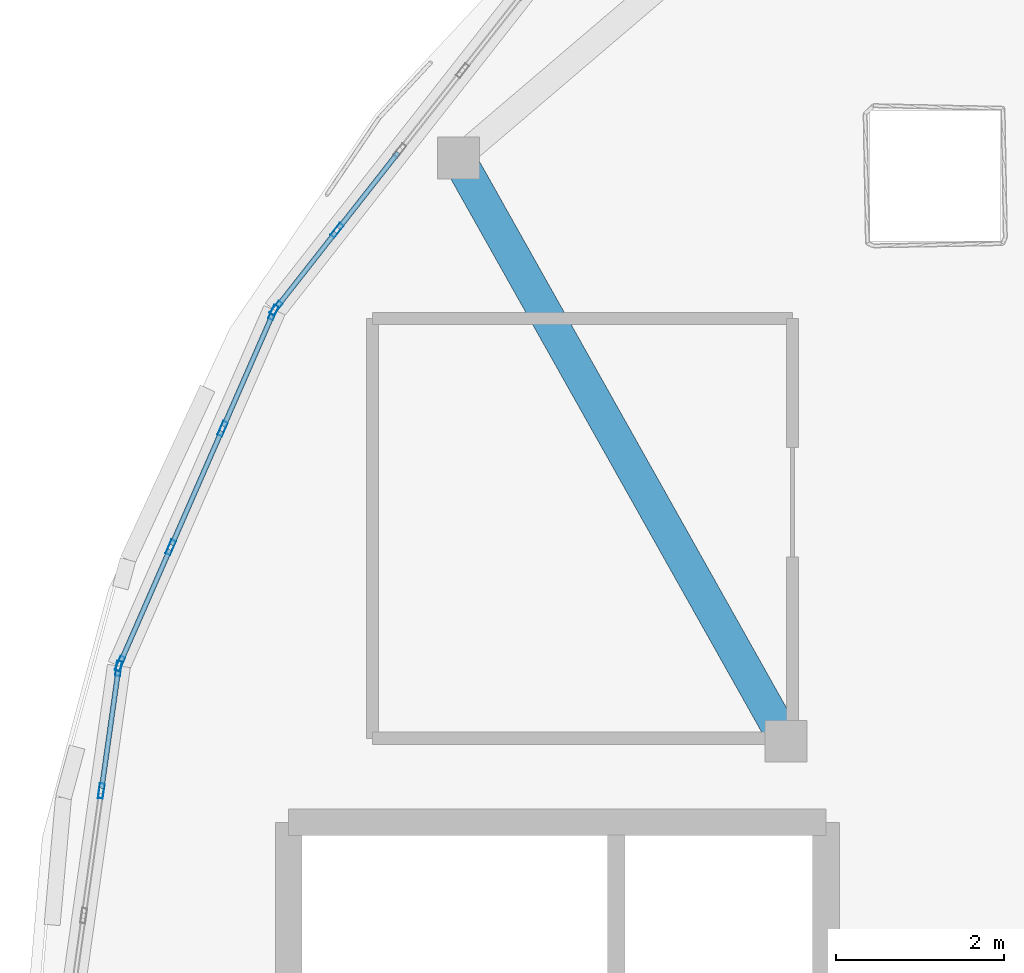
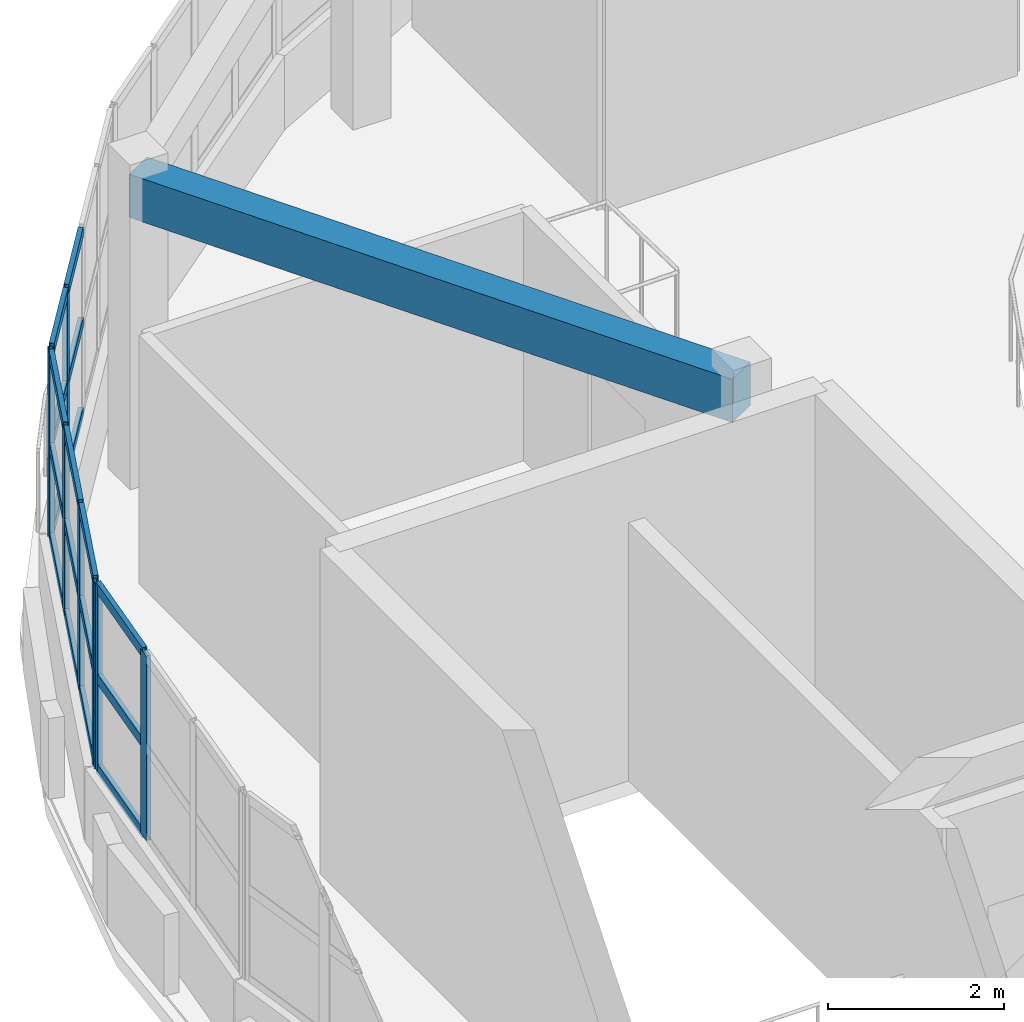
# One storey, part 10 of 38: 26 members, 1 beam, 3 elements without a shape of their own.
"""IFC4 building model written with IfcOpenShell, lengths in metres."""

import ifcopenshell
import ifcopenshell.guid

model = None  # the IFC model being written
_history = None  # IfcOwnerHistory: only IFC2X3 demands one
_inside = {}  # id of a spatial element -> (the spatial element, [elements in it])
_under = {}  # id of a project, library or spatial element -> (it, [spatial elements below it])
_declared = {}  # id of a project -> (the project, [libraries it declares])
_typed = {}  # id of a type object -> (the type object, [elements of that type])
_made_of = {}  # id of a material, layer set ... -> (it, [elements and type objects made of it])


def new_model(schema):
    """Start an empty IFC model of exactly this schema.

    Asked for "IFC4X3", IfcOpenShell would pick the latest addendum, in which some entities
    have other attributes; the version numbers below select the first issue.
    IFC2X3 requires an IfcOwnerHistory on every rooted entity: one is made here for all.
    """
    global model, _history
    if schema == "IFC4X3":
        model = ifcopenshell.file(schema_version=(4, 3, 0, 0))
    else:
        model = ifcopenshell.file(schema=schema)
    _inside.clear()
    _under.clear()
    _declared.clear()
    _typed.clear()
    _made_of.clear()
    _history = None
    if model.schema == "IFC2X3":
        org = make("IfcOrganization", Name="unknown")
        user = make(
            "IfcPersonAndOrganization",
            ThePerson=make("IfcPerson", FamilyName="unknown"),
            TheOrganization=org,
        )
        app = make(
            "IfcApplication",
            ApplicationDeveloper=org,
            Version="unknown",
            ApplicationFullName="unknown",
            ApplicationIdentifier="unknown",
        )
        _history = make(
            "IfcOwnerHistory",
            OwningUser=user,
            OwningApplication=app,
            ChangeAction="ADDED",
            CreationDate=0,
        )
    return model


def make(cls, **values):
    """One entity of the class cls with the attributes given. An attribute that is None is left unset."""
    return model.create_entity(
        cls, **{name: value for name, value in values.items() if value is not None}
    )


def rooted(cls, **values):
    """An entity with a GlobalId (a new one), such as an element, a storey or a relation."""
    return make(cls, GlobalId=ifcopenshell.guid.new(), OwnerHistory=_history, **values)


def si_unit(unit_type, name, prefix=None):
    """IfcSIUnit, for example si_unit("LENGTHUNIT", "METRE", prefix="MILLI")."""
    return make("IfcSIUnit", UnitType=unit_type, Prefix=prefix, Name=name)


def assignment(units):
    """IfcUnitAssignment: the units of a project."""
    return None if units is None else make("IfcUnitAssignment", Units=units)


def point(xyz):
    """IfcCartesianPoint."""
    return None if xyz is None else make("IfcCartesianPoint", Coordinates=xyz)


def direction(xyz):
    """IfcDirection."""
    return None if xyz is None else make("IfcDirection", DirectionRatios=xyz)


def frame(location, z_axis=None, x_axis=None):
    """IfcAxis2Placement3D, a coordinate frame: its origin and axes. An axis left out is left unset."""
    return make(
        "IfcAxis2Placement3D",
        Location=point(location),
        Axis=direction(z_axis),
        RefDirection=direction(x_axis),
    )


def frame_2d(location, x_axis=None):
    """IfcAxis2Placement2D, a coordinate frame in the plane: its origin and x axis."""
    return make(
        "IfcAxis2Placement2D", Location=point(location), RefDirection=direction(x_axis)
    )


def origin():
    """The frame at (0, 0, 0) with its axes left unset."""
    return frame((0.0, 0.0, 0.0))


def origin_2d():
    """The frame at (0, 0) in the plane with its x axis left unset."""
    return frame_2d((0.0, 0.0))


def place(relative_to, where):
    """IfcLocalPlacement: puts the frame where relative to a parent placement (None: the world)."""
    return make(
        "IfcLocalPlacement", PlacementRelTo=relative_to, RelativePlacement=where
    )


def context(
    kind, dimensions, precision=None, world=None, true_north=None, identifier=None
):
    """IfcGeometricRepresentationContext, for example the 3D "Model" context."""
    return make(
        "IfcGeometricRepresentationContext",
        ContextIdentifier=identifier,
        ContextType=kind,
        CoordinateSpaceDimension=dimensions,
        Precision=precision,
        WorldCoordinateSystem=world,
        TrueNorth=true_north,
    )


def subcontext(parent, identifier, kind, view, scale=None):
    """IfcGeometricRepresentationSubContext, for example "Body" below "Model"."""
    return make(
        "IfcGeometricRepresentationSubContext",
        ContextIdentifier=identifier,
        ContextType=kind,
        ParentContext=parent,
        TargetScale=scale,
        TargetView=view,
    )


def project(units=None, contexts=None):
    """IfcProject with its units and contexts."""
    return rooted(
        "IfcProject",
        Name="project",
        RepresentationContexts=contexts,
        UnitsInContext=assignment(units),
    )


def spatial(cls, under=None, at=None, **own):
    """A site, building, storey or space (cls), placed at a placement, below another one or the project."""
    s = rooted(cls, ObjectPlacement=at, **own)
    if under is not None:
        _under.setdefault(under.id(), (under, []))[1].append(s)
    return s


def profile(cls, at=None, kind="AREA", **sizes):
    """A parametric profile (cls). Its sizes go by their IFC names, for example OverallWidth=200.0."""
    return make(cls, ProfileType=kind, Position=at, **sizes)


def rectangle(**sizes):
    """IfcRectangleProfileDef."""
    return profile("IfcRectangleProfileDef", **sizes)


def hollow_rectangle(**sizes):
    """IfcRectangleHollowProfileDef."""
    return profile("IfcRectangleHollowProfileDef", **sizes)


def extrude(swept, where, along, depth):
    """IfcExtrudedAreaSolid: the profile swept, set in the frame where, extruded along a direction by depth."""
    return make(
        "IfcExtrudedAreaSolid",
        SweptArea=swept,
        Position=where,
        ExtrudedDirection=direction(along),
        Depth=depth,
    )


def shape(context_of_items, identifier, shape_type, items):
    """IfcShapeRepresentation: the items that make up one representation, for example the "Body"."""
    return make(
        "IfcShapeRepresentation",
        ContextOfItems=context_of_items,
        RepresentationIdentifier=identifier,
        RepresentationType=shape_type,
        Items=items,
    )


def material(Name=None, Category=None):
    """IfcMaterial."""
    return make("IfcMaterial", Name=Name, Category=Category)


def layer(
    of_material, thickness, ventilated=None, Name=None, Category=None, Priority=None
):
    """IfcMaterialLayer: one layer of a wall or slab, of a material (None: an air gap)."""
    return make(
        "IfcMaterialLayer",
        Material=of_material,
        LayerThickness=thickness,
        IsVentilated=ventilated,
        Name=Name,
        Category=Category,
        Priority=Priority,
    )


def layer_set(layers, Name=None):
    """IfcMaterialLayerSet."""
    return make("IfcMaterialLayerSet", MaterialLayers=layers, LayerSetName=Name)


def material_profile(
    of_material, cross_section, Name=None, Category=None, Priority=None
):
    """IfcMaterialProfile: a cross section and its material."""
    return make(
        "IfcMaterialProfile",
        Name=Name,
        Material=of_material,
        Profile=cross_section,
        Priority=Priority,
        Category=Category,
    )


def profile_set(profiles, Name=None, composite=None):
    """IfcMaterialProfileSet."""
    return make(
        "IfcMaterialProfileSet",
        Name=Name,
        MaterialProfiles=profiles,
        CompositeProfile=composite,
    )


def made_of(thing, what):
    """Note that an element or type object is made of a material, layer set ...; save() writes the relation."""
    if what is not None:
        _made_of.setdefault(what.id(), (what, []))[1].append(thing)
    return thing


def type_object(cls, material=None, **own):
    """A type object (cls), such as IfcWallType, which elements share."""
    return made_of(rooted(cls, **own), material)


def element(
    cls,
    number,
    at=None,
    inside=None,
    cuts=None,
    type_object=None,
    material=None,
    context=None,
    identifier="Body",
    shape_type=None,
    held_by="IfcProductDefinitionShape",
    body=None,
    shapes=None,
    **own,
):
    """One element of the class cls, such as IfcWall. Its Tag is "e" and its number.

    at: its placement. inside: the storey or other place that contains it. cuts: it is an
    opening in that element (IfcRelVoidsElement). A single representation is given by context,
    identifier, shape_type and body (its items); several are given by shapes. held_by: the class
    of the entity that holds the representations. save() writes the other relations.
    """
    e = rooted(cls, Tag="e%d" % number, ObjectPlacement=at, **own)
    if body is not None:
        shapes = [shape(context, identifier, shape_type, body)]
    if shapes is not None:
        e.Representation = make(held_by, Representations=shapes)
    if inside is not None:
        _inside.setdefault(inside.id(), (inside, []))[1].append(e)
    if cuts is not None:
        rooted(
            "IfcRelVoidsElement", RelatingBuildingElement=cuts, RelatedOpeningElement=e
        )
    if type_object is not None:
        _typed.setdefault(type_object.id(), (type_object, []))[1].append(e)
    return made_of(e, material)


def aggregate(whole, parts):
    """IfcRelAggregates: a whole, such as a stair, and the parts it consists of."""
    return rooted("IfcRelAggregates", RelatingObject=whole, RelatedObjects=parts)


def save(model, path):
    """Write the relations noted so far, then the file.

    IfcRelAggregates (storeys below a building ...), IfcRelContainedInSpatialStructure (elements
    in a storey), IfcRelDefinesByType, IfcRelAssociatesMaterial and IfcRelDeclares: one each for
    every whole, place, type object, material and project.
    """
    for whole, parts in _under.values():
        aggregate(whole, parts)
    for where, things in _inside.values():
        rooted(
            "IfcRelContainedInSpatialStructure",
            RelatedElements=things,
            RelatingStructure=where,
        )
    for kind, things in _typed.values():
        rooted("IfcRelDefinesByType", RelatedObjects=things, RelatingType=kind)
    for what, things in _made_of.values():
        rooted("IfcRelAssociatesMaterial", RelatedObjects=things, RelatingMaterial=what)
    for by, libraries in _declared.values():
        rooted("IfcRelDeclares", RelatingContext=by, RelatedDefinitions=libraries)
    model.write(path)


model = new_model("IFC4")

# Units and contexts
model_context = context("Model", 3, precision=1e-05, world=origin(), true_north=direction((0.0, 1.0)))
body_context = subcontext(model_context, "Body", "Model", "MODEL_VIEW")
ifc_project = project(units=[si_unit("LENGTHUNIT", "METRE"), si_unit("AREAUNIT", "SQUARE_METRE"), si_unit("VOLUMEUNIT", "CUBIC_METRE"), si_unit("PLANEANGLEUNIT", "RADIAN"), si_unit("MASSUNIT", "GRAM", prefix="KILO")], contexts=[model_context])

# Site, building, storey
site_placement = place(None, origin())
site = spatial("IfcSite", under=ifc_project, at=site_placement, CompositionType="ELEMENT")
building_placement = place(site_placement, origin())
building = spatial("IfcBuilding", under=site, at=building_placement, Name="Pelvatis Terrace Science Centre", CompositionType="ELEMENT")
storey_placement = place(building_placement, frame((0.0, 0.0, 24.300048828125)))
storey = spatial("IfcBuildingStorey", under=building, at=storey_placement, Name="L05", CompositionType="ELEMENT", Elevation=24.300048828125)

# Beam
ifc_material_1 = material(Name="Concrete C35/45", Category="concrete")
ifc_material_profile_1 = material_profile(ifc_material_1, rectangle(XDim=0.39990234375, YDim=0.60009765625, at=origin_2d()), Name="RC-BM 400x600")
ifc_profile_set_1 = profile_set([ifc_material_profile_1], Name="Concrete C35/45")
beam_type = type_object("IfcBeamType", Name="BM-RC-400x600", PredefinedType="BEAM", material=ifc_profile_set_1)
beam_placement = place(storey_placement, frame((88.8203125, 95.71142578125, 3.9599609375), z_axis=(0.489826177205, -0.871820116839, 0.0), x_axis=(0.871820116839, 0.489826177205, 0.0)))
element("IfcBeam", 1, at=beam_placement, inside=storey, type_object=beam_type, Name="Beam BM-L05-3130", PredefinedType="BEAM", context=body_context, shape_type="SweptSolid", body=[
    extrude(rectangle(XDim=0.39990234375, YDim=0.60009765625, at=origin_2d()), origin(), (0.0, 0.0, 1.0), 7.96728515625),
])

# Curtain wall, members
ifc_material_2 = material(Name="Bronze-anodised aluminium and laminated glass", Category="aluminium")
ifc_layer = layer(ifc_material_2, 0.179931640625)
ifc_layer_set = layer_set([ifc_layer], Name="Bronze-anodised aluminium and laminated glass")
curtain_wall_type = type_object("IfcCurtainWallType", Name="CW-RIBBON-A", PredefinedType="NOTDEFINED", material=ifc_layer_set)
curtain_wall_1_placement = place(storey_placement, origin())
curtain_wall_1 = element("IfcCurtainWall", 2, at=curtain_wall_1_placement, inside=storey, type_object=curtain_wall_type, Name="Ribbon curtain wall CW-248 (L05)", PredefinedType="NOTDEFINED")
ifc_material_3 = material(Name="Bronze-anodised aluminium 6063-T6", Category="aluminium")
ifc_material_profile_2 = material_profile(ifc_material_3, hollow_rectangle(XDim=0.06005859375, YDim=0.179931640625, WallThickness=0.00390625, at=origin_2d()), Name="ALU-MUL 60x180")
ifc_profile_set_2 = profile_set([ifc_material_profile_2], Name="Bronze-anodised aluminium 6063-T6")
member_type_1 = type_object("IfcMemberType", Name="CWM-60x180", PredefinedType="MULLION", material=ifc_profile_set_2)
member_1_placement = place(storey_placement, frame((87.376708984375, 94.849853515625, 1.02001953125), z_axis=(0.0, 0.0, 1.0), x_axis=(0.786576740286, -0.617492535697, 0.0)))
member_1 = element("IfcMember", 3, at=member_1_placement, type_object=member_type_1, Name="CW-248 mullion 4", PredefinedType="MULLION", context=body_context, shape_type="SweptSolid", body=[
    extrude(hollow_rectangle(XDim=0.06005859375, YDim=0.179931640625, WallThickness=0.00390625, at=origin_2d()), origin(), (0.0, 0.0, 1.0), 2.559814453125),
])
member_2_placement = place(storey_placement, frame((86.649169921875, 93.923095703125, 1.02001953125), z_axis=(0.0, 0.0, 1.0), x_axis=(0.786576740286, -0.617492535697, 0.0)))
member_2 = element("IfcMember", 4, at=member_2_placement, type_object=member_type_1, Name="CW-248 mullion 5", PredefinedType="MULLION", context=body_context, shape_type="SweptSolid", body=[
    extrude(hollow_rectangle(XDim=0.06005859375, YDim=0.179931640625, WallThickness=0.00390625, at=origin_2d()), origin(), (0.0, 0.0, 1.0), 2.559814453125),
])

curtain_wall_2_placement = place(storey_placement, origin())
curtain_wall_2 = element("IfcCurtainWall", 5, at=curtain_wall_2_placement, inside=storey, type_object=curtain_wall_type, Name="Ribbon curtain wall CW-249 (L05)", PredefinedType="NOTDEFINED")
member_3_placement = place(storey_placement, frame((86.61865234375, 93.871826171875, 1.02001953125), z_axis=(0.0, 0.0, 1.0), x_axis=(0.916274899341, -0.400550007911, 0.0)))
member_3 = element("IfcMember", 6, at=member_3_placement, type_object=member_type_1, Name="CW-249 mullion 1", PredefinedType="MULLION", context=body_context, shape_type="SweptSolid", body=[
    extrude(hollow_rectangle(XDim=0.06005859375, YDim=0.179931640625, WallThickness=0.00390625, at=origin_2d()), origin(), (0.0, 0.0, 1.0), 2.559814453125),
])
member_4_placement = place(storey_placement, frame((86.01318359375, 92.48681640625, 1.02001953125), z_axis=(0.0, 0.0, 1.0), x_axis=(0.916274899341, -0.400550007911, 0.0)))
member_4 = element("IfcMember", 7, at=member_4_placement, type_object=member_type_1, Name="CW-249 mullion 2", PredefinedType="MULLION", context=body_context, shape_type="SweptSolid", body=[
    extrude(hollow_rectangle(XDim=0.06005859375, YDim=0.179931640625, WallThickness=0.00390625, at=origin_2d()), origin(), (0.0, 0.0, 1.0), 2.559814453125),
])
member_5_placement = place(storey_placement, frame((85.395751953125, 91.07421875, 1.02001953125), z_axis=(0.0, 0.0, 1.0), x_axis=(0.916274899341, -0.400550007911, 0.0)))
member_5 = element("IfcMember", 8, at=member_5_placement, type_object=member_type_1, Name="CW-249 mullion 3", PredefinedType="MULLION", context=body_context, shape_type="SweptSolid", body=[
    extrude(hollow_rectangle(XDim=0.06005859375, YDim=0.179931640625, WallThickness=0.00390625, at=origin_2d()), origin(), (0.0, 0.0, 1.0), 2.559814453125),
])
member_6_placement = place(storey_placement, frame((84.7900390625, 89.68896484375, 1.02001953125), z_axis=(0.0, 0.0, 1.0), x_axis=(0.916274899341, -0.400550007911, 0.0)))
member_6 = element("IfcMember", 9, at=member_6_placement, type_object=member_type_1, Name="CW-249 mullion 4", PredefinedType="MULLION", context=body_context, shape_type="SweptSolid", body=[
    extrude(hollow_rectangle(XDim=0.06005859375, YDim=0.179931640625, WallThickness=0.00390625, at=origin_2d()), origin(), (0.0, 0.0, 1.0), 2.559814453125),
])

curtain_wall_3_placement = place(storey_placement, origin())
curtain_wall_3 = element("IfcCurtainWall", 10, at=curtain_wall_3_placement, inside=storey, type_object=curtain_wall_type, Name="Ribbon curtain wall CW-250 (L05)", PredefinedType="NOTDEFINED")
member_7_placement = place(storey_placement, frame((84.77392578125, 89.6318359375, 1.02001953125), z_axis=(0.0, 0.0, 1.0), x_axis=(0.990235094606, -0.139407522788, 0.0)))
member_7 = element("IfcMember", 11, at=member_7_placement, type_object=member_type_1, Name="CW-250 mullion 1", PredefinedType="MULLION", context=body_context, shape_type="SweptSolid", body=[
    extrude(hollow_rectangle(XDim=0.06005859375, YDim=0.179931640625, WallThickness=0.00390625, at=origin_2d()), origin(), (0.0, 0.0, 1.0), 2.559814453125),
])
member_8_placement = place(storey_placement, frame((84.56884765625, 88.17431640625, 1.02001953125), z_axis=(0.0, 0.0, 1.0), x_axis=(0.990235094606, -0.139407522788, 0.0)))
member_8 = element("IfcMember", 12, at=member_8_placement, type_object=member_type_1, Name="CW-250 mullion 2", PredefinedType="MULLION", context=body_context, shape_type="SweptSolid", body=[
    extrude(hollow_rectangle(XDim=0.06005859375, YDim=0.179931640625, WallThickness=0.00390625, at=origin_2d()), origin(), (0.0, 0.0, 1.0), 2.559814453125),
])

# Member
ifc_material_4 = material(Name="Bronze-anodised aluminium 6063-T6", Category="aluminium")
ifc_material_profile_3 = material_profile(ifc_material_4, hollow_rectangle(XDim=0.06005859375, YDim=0.139892578125, WallThickness=0.00390625, at=origin_2d()), Name="ALU-TRN 60x140")
ifc_profile_set_3 = profile_set([ifc_material_profile_3], Name="Bronze-anodised aluminium 6063-T6")
member_type_2 = type_object("IfcMemberType", Name="CWT-60x140", PredefinedType="USERDEFINED", material=ifc_profile_set_3)
member_9_placement = place(storey_placement, frame((88.1044921875, 95.776611328125, 1.050048828125), z_axis=(-0.617539862862, -0.786539584367, 0.0), x_axis=(0.786539584367, -0.617539862862, 0.0)))
member_9 = element("IfcMember", 13, at=member_9_placement, type_object=member_type_2, Name="CW-248 transom 3.1", ObjectType="TRANSOM", PredefinedType="USERDEFINED", context=body_context, shape_type="SweptSolid", body=[
    extrude(hollow_rectangle(XDim=0.06005859375, YDim=0.139892578125, WallThickness=0.00390625, at=origin_2d()), origin(), (0.0, 0.0, 1.0), 1.1484375),
])

member_10_placement = place(storey_placement, frame((88.1044921875, 95.776611328125, 2.300048828125), z_axis=(-0.617539862862, -0.786539584367, 0.0), x_axis=(0.786539584367, -0.617539862862, 0.0)))
member_10 = element("IfcMember", 14, at=member_10_placement, type_object=member_type_2, Name="CW-248 transom 3.2", ObjectType="TRANSOM", PredefinedType="USERDEFINED", context=body_context, shape_type="SweptSolid", body=[
    extrude(hollow_rectangle(XDim=0.06005859375, YDim=0.139892578125, WallThickness=0.00390625, at=origin_2d()), origin(), (0.0, 0.0, 1.0), 1.1484375),
])

member_11_placement = place(storey_placement, frame((88.1044921875, 95.776611328125, 3.550048828125), z_axis=(-0.617539862862, -0.786539584367, 0.0), x_axis=(0.786539584367, -0.617539862862, 0.0)))
member_11 = element("IfcMember", 15, at=member_11_placement, type_object=member_type_2, Name="CW-248 transom 3.3", ObjectType="TRANSOM", PredefinedType="USERDEFINED", context=body_context, shape_type="SweptSolid", body=[
    extrude(hollow_rectangle(XDim=0.06005859375, YDim=0.139892578125, WallThickness=0.00390625, at=origin_2d()), origin(), (0.0, 0.0, 1.0), 1.1484375),
])

member_12_placement = place(storey_placement, frame((87.358154296875, 94.826171875, 1.050048828125), z_axis=(-0.617426145244, -0.786628854778, 0.0), x_axis=(0.786628854778, -0.617426145244, 0.0)))
member_12 = element("IfcMember", 16, at=member_12_placement, type_object=member_type_2, Name="CW-248 transom 4.1", ObjectType="TRANSOM", PredefinedType="USERDEFINED", context=body_context, shape_type="SweptSolid", body=[
    extrude(hollow_rectangle(XDim=0.06005859375, YDim=0.139892578125, WallThickness=0.00390625, at=origin_2d()), origin(), (0.0, 0.0, 1.0), 1.1181640625),
])

member_13_placement = place(storey_placement, frame((87.358154296875, 94.826171875, 2.300048828125), z_axis=(-0.617426145244, -0.786628854778, 0.0), x_axis=(0.786628854778, -0.617426145244, 0.0)))
member_13 = element("IfcMember", 17, at=member_13_placement, type_object=member_type_2, Name="CW-248 transom 4.2", ObjectType="TRANSOM", PredefinedType="USERDEFINED", context=body_context, shape_type="SweptSolid", body=[
    extrude(hollow_rectangle(XDim=0.06005859375, YDim=0.139892578125, WallThickness=0.00390625, at=origin_2d()), origin(), (0.0, 0.0, 1.0), 1.1181640625),
])

member_14_placement = place(storey_placement, frame((87.358154296875, 94.826171875, 3.550048828125), z_axis=(-0.617426145244, -0.786628854778, 0.0), x_axis=(0.786628854778, -0.617426145244, 0.0)))
member_14 = element("IfcMember", 18, at=member_14_placement, type_object=member_type_2, Name="CW-248 transom 4.3", ObjectType="TRANSOM", PredefinedType="USERDEFINED", context=body_context, shape_type="SweptSolid", body=[
    extrude(hollow_rectangle(XDim=0.06005859375, YDim=0.139892578125, WallThickness=0.00390625, at=origin_2d()), origin(), (0.0, 0.0, 1.0), 1.1181640625),
])

aggregate(curtain_wall_1, [member_1, member_2, member_9, member_10, member_11, member_12, member_13, member_14])

member_15_placement = place(storey_placement, frame((86.606689453125, 93.844482421875, 1.050048828125), z_axis=(-0.400545357441, -0.916276932282, 0.0), x_axis=(0.916276932282, -0.400545357441, 0.0)))
member_15 = element("IfcMember", 19, at=member_15_placement, type_object=member_type_2, Name="CW-249 transom 1.1", ObjectType="TRANSOM", PredefinedType="USERDEFINED", context=body_context, shape_type="SweptSolid", body=[
    extrude(hollow_rectangle(XDim=0.06005859375, YDim=0.139892578125, WallThickness=0.00390625, at=origin_2d()), origin(), (0.0, 0.0, 1.0), 1.451904296875),
])

member_16_placement = place(storey_placement, frame((86.606689453125, 93.844482421875, 2.300048828125), z_axis=(-0.400545357441, -0.916276932282, 0.0), x_axis=(0.916276932282, -0.400545357441, 0.0)))
member_16 = element("IfcMember", 20, at=member_16_placement, type_object=member_type_2, Name="CW-249 transom 1.2", ObjectType="TRANSOM", PredefinedType="USERDEFINED", context=body_context, shape_type="SweptSolid", body=[
    extrude(hollow_rectangle(XDim=0.06005859375, YDim=0.139892578125, WallThickness=0.00390625, at=origin_2d()), origin(), (0.0, 0.0, 1.0), 1.451904296875),
])

member_17_placement = place(storey_placement, frame((86.606689453125, 93.844482421875, 3.550048828125), z_axis=(-0.400545357441, -0.916276932282, 0.0), x_axis=(0.916276932282, -0.400545357441, 0.0)))
member_17 = element("IfcMember", 21, at=member_17_placement, type_object=member_type_2, Name="CW-249 transom 1.3", ObjectType="TRANSOM", PredefinedType="USERDEFINED", context=body_context, shape_type="SweptSolid", body=[
    extrude(hollow_rectangle(XDim=0.06005859375, YDim=0.139892578125, WallThickness=0.00390625, at=origin_2d()), origin(), (0.0, 0.0, 1.0), 1.451904296875),
])

member_18_placement = place(storey_placement, frame((86.001220703125, 92.459228515625, 1.050048828125), z_axis=(-0.400550866388, -0.916274524057, 0.0), x_axis=(0.916274524057, -0.400550866388, 0.0)))
member_18 = element("IfcMember", 22, at=member_18_placement, type_object=member_type_2, Name="CW-249 transom 2.1", ObjectType="TRANSOM", PredefinedType="USERDEFINED", context=body_context, shape_type="SweptSolid", body=[
    extrude(hollow_rectangle(XDim=0.06005859375, YDim=0.139892578125, WallThickness=0.00390625, at=origin_2d()), origin(), (0.0, 0.0, 1.0), 1.481689453125),
])

member_19_placement = place(storey_placement, frame((86.001220703125, 92.459228515625, 2.300048828125), z_axis=(-0.400550866388, -0.916274524057, 0.0), x_axis=(0.916274524057, -0.400550866388, 0.0)))
member_19 = element("IfcMember", 23, at=member_19_placement, type_object=member_type_2, Name="CW-249 transom 2.2", ObjectType="TRANSOM", PredefinedType="USERDEFINED", context=body_context, shape_type="SweptSolid", body=[
    extrude(hollow_rectangle(XDim=0.06005859375, YDim=0.139892578125, WallThickness=0.00390625, at=origin_2d()), origin(), (0.0, 0.0, 1.0), 1.481689453125),
])

member_20_placement = place(storey_placement, frame((86.001220703125, 92.459228515625, 3.550048828125), z_axis=(-0.400550866388, -0.916274524057, 0.0), x_axis=(0.916274524057, -0.400550866388, 0.0)))
member_20 = element("IfcMember", 24, at=member_20_placement, type_object=member_type_2, Name="CW-249 transom 2.3", ObjectType="TRANSOM", PredefinedType="USERDEFINED", context=body_context, shape_type="SweptSolid", body=[
    extrude(hollow_rectangle(XDim=0.06005859375, YDim=0.139892578125, WallThickness=0.00390625, at=origin_2d()), origin(), (0.0, 0.0, 1.0), 1.481689453125),
])

member_21_placement = place(storey_placement, frame((85.383544921875, 91.046630859375, 1.050048828125), z_axis=(-0.400465876165, -0.916311672973, 0.0), x_axis=(0.916311672973, -0.400465876165, 0.0)))
member_21 = element("IfcMember", 25, at=member_21_placement, type_object=member_type_2, Name="CW-249 transom 3.1", ObjectType="TRANSOM", PredefinedType="USERDEFINED", context=body_context, shape_type="SweptSolid", body=[
    extrude(hollow_rectangle(XDim=0.06005859375, YDim=0.139892578125, WallThickness=0.00390625, at=origin_2d()), origin(), (0.0, 0.0, 1.0), 1.45166015625),
])

member_22_placement = place(storey_placement, frame((85.383544921875, 91.046630859375, 2.300048828125), z_axis=(-0.400465876165, -0.916311672973, 0.0), x_axis=(0.916311672973, -0.400465876165, 0.0)))
member_22 = element("IfcMember", 26, at=member_22_placement, type_object=member_type_2, Name="CW-249 transom 3.2", ObjectType="TRANSOM", PredefinedType="USERDEFINED", context=body_context, shape_type="SweptSolid", body=[
    extrude(hollow_rectangle(XDim=0.06005859375, YDim=0.139892578125, WallThickness=0.00390625, at=origin_2d()), origin(), (0.0, 0.0, 1.0), 1.45166015625),
])

member_23_placement = place(storey_placement, frame((85.383544921875, 91.046630859375, 3.550048828125), z_axis=(-0.400465876165, -0.916311672973, 0.0), x_axis=(0.916311672973, -0.400465876165, 0.0)))
member_23 = element("IfcMember", 27, at=member_23_placement, type_object=member_type_2, Name="CW-249 transom 3.3", ObjectType="TRANSOM", PredefinedType="USERDEFINED", context=body_context, shape_type="SweptSolid", body=[
    extrude(hollow_rectangle(XDim=0.06005859375, YDim=0.139892578125, WallThickness=0.00390625, at=origin_2d()), origin(), (0.0, 0.0, 1.0), 1.45166015625),
])

aggregate(curtain_wall_2, [member_3, member_4, member_5, member_6, member_15, member_16, member_17, member_18, member_19, member_20, member_21, member_22, member_23])

member_24_placement = place(storey_placement, frame((84.769775390625, 89.60205078125, 1.050048828125), z_axis=(-0.139387317291, -0.990237938971, 0.0), x_axis=(0.990237938971, -0.139387317291, 0.0)))
member_24 = element("IfcMember", 28, at=member_24_placement, type_object=member_type_2, Name="CW-250 transom 1.1", ObjectType="TRANSOM", PredefinedType="USERDEFINED", context=body_context, shape_type="SweptSolid", body=[
    extrude(hollow_rectangle(XDim=0.06005859375, YDim=0.139892578125, WallThickness=0.00390625, at=origin_2d()), origin(), (0.0, 0.0, 1.0), 1.41162109375),
])

member_25_placement = place(storey_placement, frame((84.769775390625, 89.60205078125, 2.300048828125), z_axis=(-0.139387317291, -0.990237938971, 0.0), x_axis=(0.990237938971, -0.139387317291, 0.0)))
member_25 = element("IfcMember", 29, at=member_25_placement, type_object=member_type_2, Name="CW-250 transom 1.2", ObjectType="TRANSOM", PredefinedType="USERDEFINED", context=body_context, shape_type="SweptSolid", body=[
    extrude(hollow_rectangle(XDim=0.06005859375, YDim=0.139892578125, WallThickness=0.00390625, at=origin_2d()), origin(), (0.0, 0.0, 1.0), 1.41162109375),
])

member_26_placement = place(storey_placement, frame((84.769775390625, 89.60205078125, 3.550048828125), z_axis=(-0.139387317291, -0.990237938971, 0.0), x_axis=(0.990237938971, -0.139387317291, 0.0)))
member_26 = element("IfcMember", 30, at=member_26_placement, type_object=member_type_2, Name="CW-250 transom 1.3", ObjectType="TRANSOM", PredefinedType="USERDEFINED", context=body_context, shape_type="SweptSolid", body=[
    extrude(hollow_rectangle(XDim=0.06005859375, YDim=0.139892578125, WallThickness=0.00390625, at=origin_2d()), origin(), (0.0, 0.0, 1.0), 1.41162109375),
])

aggregate(curtain_wall_3, [member_7, member_8, member_24, member_25, member_26])

save(model, "model.ifc")
